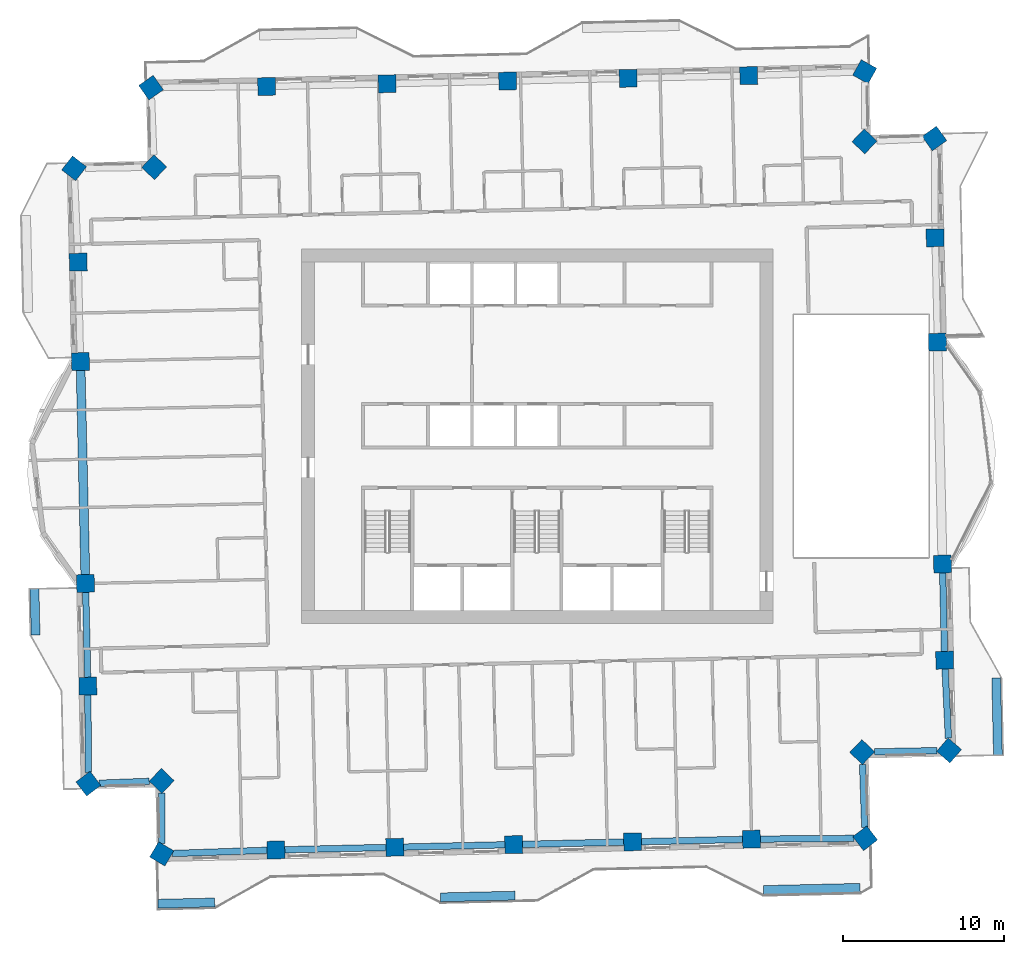
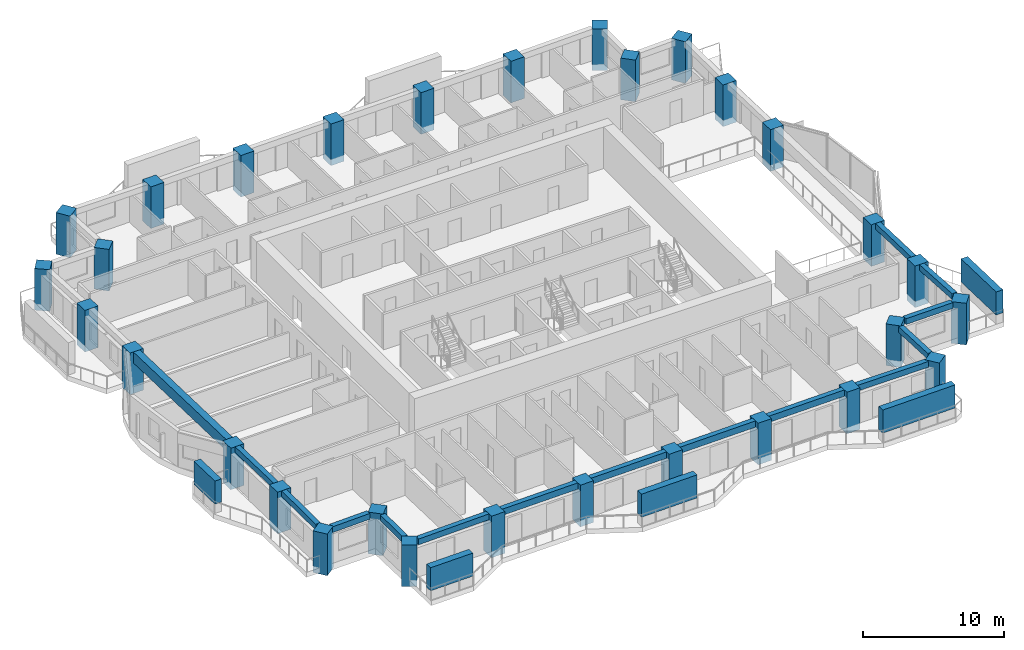
# One storey, part 1 of 17: 30 columns, 15 beams, 5 members.
"""IFC4 building model written with IfcOpenShell, lengths in metres."""

from ifc_helpers import new_model, si_unit, direction, frame, origin, origin_2d, place, context, subcontext, project, spatial, rectangle, extrude, material, material_profile, profile_set, type_object, element, save


model = new_model("IFC4")

# Units and contexts
model_context = context("Model", 3, precision=1e-05, world=origin(), true_north=direction((0.0, 1.0)))
body_context = subcontext(model_context, "Body", "Model", "MODEL_VIEW")
ifc_project = project(units=[si_unit("LENGTHUNIT", "METRE"), si_unit("AREAUNIT", "SQUARE_METRE"), si_unit("VOLUMEUNIT", "CUBIC_METRE"), si_unit("PLANEANGLEUNIT", "RADIAN"), si_unit("MASSUNIT", "GRAM", prefix="KILO")], contexts=[model_context])

# Site, building, storey
site_placement = place(None, origin())
site = spatial("IfcSite", under=ifc_project, at=site_placement, CompositionType="ELEMENT")
building_placement = place(site_placement, origin())
building = spatial("IfcBuilding", under=site, at=building_placement, Name="Mangrove Gate Tower", CompositionType="ELEMENT")
storey_placement = place(building_placement, frame((0.0, 0.0, 238.300048828125)))
storey = spatial("IfcBuildingStorey", under=building, at=storey_placement, Name="L60", CompositionType="ELEMENT", Elevation=238.300048828125)

# Columns
ifc_material_1 = material(Name="Concrete C60/75", Category="concrete")
ifc_material_profile_1 = material_profile(ifc_material_1, rectangle(XDim=1.10009765625, YDim=1.10009765625, at=origin_2d()))
ifc_profile_set_1 = profile_set([ifc_material_profile_1], Name="Concrete C60/75")
column_type = type_object("IfcColumnType", Name="Column RC 1100x1100 C60/75", PredefinedType="COLUMN", material=ifc_profile_set_1)
for number, where, z_axis, x_axis, name in (
    (1, (-27.9912109375, -9.12548828125, -0.550048828125), (0.0, 0.0, 1.0), (0.022671716894, -0.999742963593, 0.0), "Column L60 W05"),
    (2, (-27.84716796875, -15.486572265625, -0.550048828125), (0.0, 0.0, 1.0), (0.02271069751, -0.999742078848, 0.0), "Column L60 W06"),
    (3, (-27.813720703125, -21.52783203125, -0.550048828125), (0.0, 0.0, 1.0), (0.604088172923, -0.796917485901, 0.0), "Column L60 W07"),
    (4, (-23.27392578125, -21.3583984375, -0.550048828125), (0.0, 0.0, 1.0), (0.722988982899, -0.690859559249, 0.0), "Column L60 W08"),
    (5, (-23.2685546875, -25.880859375, -0.550048828125), (0.0, 0.0, 1.0), (0.860102602096, -0.510121077655, 0.0), "Column L60 S01"),
    (6, (-16.195556640625, -25.63720703125, -0.550048828125), (0.0, 0.0, 1.0), (0.999743095343, 0.022665906441, 0.0), "Column L60 S02"),
    (7, (-8.829345703125, -25.47021484375, -0.550048828125), (0.0, 0.0, 1.0), (0.999743095343, 0.022665906441, 0.0), "Column L60 S03"),
    (8, (-1.46337890625, -25.30322265625, -0.550048828125), (0.0, 0.0, 1.0), (0.999743095343, 0.022665906441, 0.0), "Column L60 S04"),
    (9, (5.902587890625, -25.13623046875, -0.550048828125), (0.0, 0.0, 1.0), (0.999743095343, 0.022665906441, 0.0), "Column L60 S05"),
    (10, (13.2685546875, -24.96923828125, -0.550048828125), (0.0, 0.0, 1.0), (0.999741555365, 0.022733729908, 0.0), "Column L60 S06"),
    (11, (20.31201171875, -24.914794921875, -0.550048828125), (0.0, 0.0, 1.0), (0.792957554961, 0.609276879612, 0.0), "Column L60 S07"),
    (12, (20.12744140625, -19.572998046875, -0.550048828125), (0.0, 0.0, 1.0), (0.690952060098, 0.72290058144, 0.0), "Column L60 E01"),
    (13, (25.508056640625, -19.47021484375, -0.550048828125), (0.0, 0.0, 1.0), (0.654234577243, 0.756291688398, 0.0), "Column L60 E02"),
    (14, (25.238037109375, -13.881591796875, -0.550048828125), (0.0, 0.0, 1.0), (-0.022727116819, 0.999741705723, 0.0), "Column L60 E03"),
    (15, (25.10302734375, -7.92138671875, -0.550048828125), (0.0, 0.0, 1.0), (-0.022676462969, 0.999742855952, 0.0), "Column L60 E04"),
    (16, (24.791259765625, 5.825439453125, -0.550048828125), (0.0, 0.0, 1.0), (-0.022707923152, 0.999742141868, 0.0), "Column L60 E05"),
    (17, (24.64404296875, 12.28662109375, -0.550048828125), (0.0, 0.0, 1.0), (-0.022668680801, 0.999743032439, 0.0), "Column L60 E06"),
    (18, (24.6005859375, 18.440185546875, -0.550048828125), (0.0, 0.0, 1.0), (-0.581359179883, 0.813647038934, 0.0), "Column L60 E07"),
    (19, (20.26904296875, 18.262451171875, -0.550048828125), (0.0, 0.0, 1.0), (-0.722994264183, 0.690854032309, 0.0), "Column L60 E08"),
    (20, (20.28076171875, 22.578857421875, -0.550048828125), (0.0, 0.0, 1.0), (-0.872897238591, 0.487904100064, 0.0), "Column L60 N01"),
    (21, (13.095458984375, 22.339111328125, -0.550048828125), (0.0, 0.0, 1.0), (-0.999742388325, -0.022697070002, 0.0), "Column L60 N02"),
    (22, (5.62939453125, 22.170166015625, -0.550048828125), (0.0, 0.0, 1.0), (-0.999743905277, -0.022630153817, 0.0), "Column L60 N03"),
    (23, (-1.83642578125, 22.001220703125, -0.550048828125), (0.0, 0.0, 1.0), (-0.999742388325, -0.022697070002, 0.0), "Column L60 N04"),
    (24, (-9.302490234375, 21.8310546875, -0.550048828125), (0.0, 0.0, 1.0), (-0.999742388325, -0.022697070002, 0.0), "Column L60 N05"),
    (25, (-16.7685546875, 21.662109375, -0.550048828125), (0.0, 0.0, 1.0), (-0.999742388325, -0.022697070002, 0.0), "Column L60 N06"),
    (26, (-23.9306640625, 21.592041015625, -0.550048828125), (0.0, 0.0, 1.0), (-0.818137935301, -0.575022015946, 0.0), "Column L60 N07"),
    (27, (-23.736328125, 16.6640625, -0.550048828125), (0.0, 0.0, 1.0), (-0.690946470748, -0.722905923728, 0.0), "Column L60 W01"),
    (28, (-28.6982421875, 16.59326171875, -0.550048828125), (0.0, 0.0, 1.0), (-0.612246894698, -0.790666642734, 0.0), "Column L60 W02"),
    (29, (-28.443115234375, 10.781494140625, -0.550048828125), (0.0, 0.0, 1.0), (0.022719561495, -0.999741877449, 0.0), "Column L60 W03"),
    (30, (-28.30322265625, 4.62158203125, -0.550048828125), (0.0, 0.0, 1.0), (0.022699722219, -0.999742328108, 0.0), "Column L60 W04"),
):
    element("IfcColumn", number, at=place(storey_placement, frame(where, z_axis=z_axis, x_axis=x_axis)), inside=storey, type_object=column_type, Name=name, PredefinedType="COLUMN", context=body_context, shape_type="SweptSolid", body=[
        extrude(rectangle(XDim=1.10009765625, YDim=1.10009765625, at=origin_2d()), origin(), (0.0, 0.0, 1.0), 3.60009765625),
    ])

# Members
ifc_material_2 = material(Name="Planting on aluminium trellis", Category="aluminium")
ifc_material_profile_2 = material_profile(ifc_material_2, rectangle(XDim=0.550048828125, YDim=2.0, at=origin_2d()))
ifc_profile_set_2 = profile_set([ifc_material_profile_2], Name="Planting on aluminium trellis")
member_type = type_object("IfcMemberType", Name="Balcony greenery screen 550x2000", PredefinedType="USERDEFINED", material=ifc_profile_set_2)
member_1_placement = place(storey_placement, frame((28.5380859375, -19.77099609375, 1.800048828125), z_axis=(-0.022734113616, 0.99974154664, 0.0), x_axis=(-0.99974154664, -0.022734113616, 0.0)))
element("IfcMember", 31, at=member_1_placement, inside=storey, type_object=member_type, Name="GREEN SCREEN L60 E0.1", ObjectType="PLANTING", PredefinedType="USERDEFINED", context=body_context, shape_type="SweptSolid", body=[
    extrude(rectangle(XDim=0.550048828125, YDim=2.0, at=origin_2d()), origin(), (0.0, 0.0, 1.0), 4.80029296875),
])
member_2_placement = place(storey_placement, frame((-31.083984375, -12.322021484375, 1.800048828125), z_axis=(-0.022929749512, 0.99973707873, 0.0), x_axis=(-0.99973707873, -0.022929749512, 0.0)))
element("IfcMember", 32, at=member_2_placement, inside=storey, type_object=member_type, Name="GREEN SCREEN L60 W1.1", ObjectType="PLANTING", PredefinedType="USERDEFINED", context=body_context, shape_type="SweptSolid", body=[
    extrude(rectangle(XDim=0.550048828125, YDim=2.0, at=origin_2d()), origin(), (0.0, 0.0, 1.0), 2.874755859375),
])
member_3_placement = place(storey_placement, frame((-23.489990234375, -28.968994140625, 1.800048828125), z_axis=(0.999738950566, 0.022847991624, 0.0), x_axis=(-0.022847991624, 0.999738950566, 0.0)))
element("IfcMember", 33, at=member_3_placement, inside=storey, type_object=member_type, Name="GREEN SCREEN L60 S0.1", ObjectType="PLANTING", PredefinedType="USERDEFINED", context=body_context, shape_type="SweptSolid", body=[
    extrude(rectangle(XDim=0.550048828125, YDim=2.0, at=origin_2d()), origin(), (0.0, 0.0, 1.0), 3.5048828125),
])
member_4_placement = place(storey_placement, frame((-5.989990234375, -28.572021484375, 1.800048828125), z_axis=(0.999739556364, 0.022821468877, 0.0), x_axis=(-0.022821468877, 0.999739556364, 0.0)))
element("IfcMember", 34, at=member_4_placement, inside=storey, type_object=member_type, Name="GREEN SCREEN L60 S0.2", ObjectType="PLANTING", PredefinedType="USERDEFINED", context=body_context, shape_type="SweptSolid", body=[
    extrude(rectangle(XDim=0.550048828125, YDim=2.0, at=origin_2d()), origin(), (0.0, 0.0, 1.0), 4.60009765625),
])
member_5_placement = place(storey_placement, frame((14.0048828125, -28.117919921875, 1.800048828125), z_axis=(0.999743094499, 0.022665943652, 0.0), x_axis=(-0.022665943652, 0.999743094499, 0.0)))
element("IfcMember", 35, at=member_5_placement, inside=storey, type_object=member_type, Name="GREEN SCREEN L60 S1.1", ObjectType="PLANTING", PredefinedType="USERDEFINED", context=body_context, shape_type="SweptSolid", body=[
    extrude(rectangle(XDim=0.550048828125, YDim=2.0, at=origin_2d()), origin(), (0.0, 0.0, 1.0), 5.99951171875),
])

# Beams
ifc_material_3 = material(Name="Concrete C50/60", Category="concrete")
ifc_material_profile_3 = material_profile(ifc_material_3, rectangle(XDim=0.39990234375, YDim=0.5, at=origin_2d()))
ifc_profile_set_3 = profile_set([ifc_material_profile_3], Name="Concrete C50/60")
beam_type_1 = type_object("IfcBeamType", Name="Edge beam RC 400x500 C50/60", PredefinedType="BEAM", material=ifc_profile_set_3)
beam_1_placement = place(storey_placement, frame((-27.978759765625, -9.67529296875, 2.800048828125), z_axis=(0.022638157735, -0.999743724069, 0.0), x_axis=(0.999743724069, 0.022638157735, 0.0)))
element("IfcBeam", 36, at=beam_1_placement, inside=storey, type_object=beam_type_1, Name="Edge beam L60 00", PredefinedType="BEAM", context=body_context, shape_type="SweptSolid", body=[
    extrude(rectangle(XDim=0.39990234375, YDim=0.5, at=origin_2d()), origin(), (0.0, 0.0, 1.0), 5.262939453125),
])
beam_2_placement = place(storey_placement, frame((-27.843994140625, -16.03662109375, 2.800048828125), z_axis=(0.005539377327, -0.999984657532, 0.0), x_axis=(0.999984657532, 0.005539377327, 0.0)))
element("IfcBeam", 37, at=beam_2_placement, inside=storey, type_object=beam_type_1, Name="Edge beam L60 01", PredefinedType="BEAM", context=body_context, shape_type="SweptSolid", body=[
    extrude(rectangle(XDim=0.39990234375, YDim=0.5, at=origin_2d()), origin(), (0.0, 0.0, 1.0), 4.803955078125),
])
beam_3_placement = place(storey_placement, frame((-27.142578125, -21.502685546875, 2.800048828125), z_axis=(0.999304995384, 0.037276349084, 0.0), x_axis=(-0.037276349084, 0.999304995384, 0.0)))
element("IfcBeam", 38, at=beam_3_placement, inside=storey, type_object=beam_type_1, Name="Edge beam L60 02", PredefinedType="BEAM", context=body_context, shape_type="SweptSolid", body=[
    extrude(rectangle(XDim=0.39990234375, YDim=0.5, at=origin_2d()), origin(), (0.0, 0.0, 1.0), 3.1044921875),
])
beam_4_placement = place(storey_placement, frame((-23.273193359375, -22.119873046875, 2.800048828125), z_axis=(0.001251563475, -0.999999216794, 0.0), x_axis=(0.999999216794, 0.001251563475, 0.0)))
element("IfcBeam", 39, at=beam_4_placement, inside=storey, type_object=beam_type_1, Name="Edge beam L60 03", PredefinedType="BEAM", context=body_context, shape_type="SweptSolid", body=[
    extrude(rectangle(XDim=0.39990234375, YDim=0.5, at=origin_2d()), origin(), (0.0, 0.0, 1.0), 3.12109375),
])
beam_5_placement = place(storey_placement, frame((-22.61572265625, -25.8583984375, 2.800048828125), z_axis=(0.999406246135, 0.034455118442, 0.0), x_axis=(-0.034455118442, 0.999406246135, 0.0)))
element("IfcBeam", 40, at=beam_5_placement, inside=storey, type_object=beam_type_1, Name="Edge beam L60 04", PredefinedType="BEAM", context=body_context, shape_type="SweptSolid", body=[
    extrude(rectangle(XDim=0.39990234375, YDim=0.5, at=origin_2d()), origin(), (0.0, 0.0, 1.0), 5.8740234375),
])
beam_6_placement = place(storey_placement, frame((13.818603515625, -24.96484375, 2.800048828125), z_axis=(0.999970370697, 0.007697904166, 0.0), x_axis=(-0.007697904166, 0.999970370697, 0.0)))
element("IfcBeam", 41, at=beam_6_placement, inside=storey, type_object=beam_type_1, Name="Edge beam L60 09", PredefinedType="BEAM", context=body_context, shape_type="SweptSolid", body=[
    extrude(rectangle(XDim=0.39990234375, YDim=0.5, at=origin_2d()), origin(), (0.0, 0.0, 1.0), 5.803955078125),
])
beam_7_placement = place(storey_placement, frame((20.28857421875, -24.2392578125, 2.800048828125), z_axis=(-0.034490302701, 0.999405032517, 0.0), x_axis=(-0.999405032517, -0.034490302701, 0.0)))
element("IfcBeam", 42, at=beam_7_placement, inside=storey, type_object=beam_type_1, Name="Edge beam L60 10", PredefinedType="BEAM", context=body_context, shape_type="SweptSolid", body=[
    extrude(rectangle(XDim=0.39990234375, YDim=0.5, at=origin_2d()), origin(), (0.0, 0.0, 1.0), 3.900390625),
])
beam_8_placement = place(storey_placement, frame((20.90234375, -19.55810546875, 2.800048828125), z_axis=(0.999818208127, 0.019067005485, 0.0), x_axis=(-0.019067005485, 0.999818208127, 0.0)))
element("IfcBeam", 43, at=beam_8_placement, inside=storey, type_object=beam_type_1, Name="Edge beam L60 11", PredefinedType="BEAM", context=body_context, shape_type="SweptSolid", body=[
    extrude(rectangle(XDim=0.39990234375, YDim=0.5, at=origin_2d()), origin(), (0.0, 0.0, 1.0), 3.866943359375),
])
beam_9_placement = place(storey_placement, frame((25.471435546875, -18.711181640625, 2.800048828125), z_axis=(-0.048258123247, 0.998834898039, 0.0), x_axis=(-0.998834898039, -0.048258123247, 0.0)))
element("IfcBeam", 44, at=beam_9_placement, inside=storey, type_object=beam_type_1, Name="Edge beam L60 12", PredefinedType="BEAM", context=body_context, shape_type="SweptSolid", body=[
    extrude(rectangle(XDim=0.39990234375, YDim=0.5, at=origin_2d()), origin(), (0.0, 0.0, 1.0), 4.284912109375),
])
beam_10_placement = place(storey_placement, frame((25.2255859375, -13.33154296875, 2.800048828125), z_axis=(-0.022649535507, 0.999743466366, 0.0), x_axis=(-0.999743466366, -0.022649535507, 0.0)))
element("IfcBeam", 45, at=beam_10_placement, inside=storey, type_object=beam_type_1, Name="Edge beam L60 13", PredefinedType="BEAM", context=body_context, shape_type="SweptSolid", body=[
    extrude(rectangle(XDim=0.39990234375, YDim=0.5, at=origin_2d()), origin(), (0.0, 0.0, 1.0), 4.861328125),
])
ifc_material_4 = material(Name="Concrete C50/60", Category="concrete")
ifc_material_profile_4 = material_profile(ifc_material_4, rectangle(XDim=0.39990234375, YDim=0.550048828125, at=origin_2d()))
ifc_profile_set_4 = profile_set([ifc_material_profile_4], Name="Concrete C50/60")
beam_type_2 = type_object("IfcBeamType", Name="Edge beam RC 400x550 C50/60", PredefinedType="BEAM", material=ifc_profile_set_4)
for number, where, z_axis, x_axis, name in (
    (46, (-15.6455078125, -25.624755859375, 2.77490234375), (0.999743000577, 0.022670085963, 0.0), (-0.022670085963, 0.999743000577, 0.0), "Edge beam L60 05"),
    (47, (-8.279541015625, -25.457763671875, 2.77490234375), (0.999743000577, 0.022670085963, 0.0), (-0.022670085963, 0.999743000577, 0.0), "Edge beam L60 06"),
):
    element("IfcBeam", number, at=place(storey_placement, frame(where, z_axis=z_axis, x_axis=x_axis)), inside=storey, type_object=beam_type_2, Name=name, PredefinedType="BEAM", context=body_context, shape_type="SweptSolid", body=[
        extrude(rectangle(XDim=0.39990234375, YDim=0.550048828125, at=origin_2d()), origin(), (0.0, 0.0, 1.0), 6.267822265625),
    ])
for number, where, z_axis, x_axis, name in (
    (48, (-0.91357421875, -25.290771484375, 2.77490234375), (0.999743020594, 0.022669203179, 0.0), (-0.022669203179, 0.999743020594, 0.0), "Edge beam L60 07"),
    (49, (6.452392578125, -25.123779296875, 2.77490234375), (0.999743020594, 0.022669203179, 0.0), (-0.022669203179, 0.999743020594, 0.0), "Edge beam L60 08"),
):
    element("IfcBeam", number, at=place(storey_placement, frame(where, z_axis=z_axis, x_axis=x_axis)), inside=storey, type_object=beam_type_2, Name=name, PredefinedType="BEAM", context=body_context, shape_type="SweptSolid", body=[
        extrude(rectangle(XDim=0.39990234375, YDim=0.550048828125, at=origin_2d()), origin(), (0.0, 0.0, 1.0), 6.26806640625),
    ])
ifc_material_5 = material(Name="Concrete C50/60", Category="concrete")
ifc_material_profile_5 = material_profile(ifc_material_5, rectangle(XDim=0.550048828125, YDim=0.949951171875, at=origin_2d()))
ifc_profile_set_5 = profile_set([ifc_material_profile_5], Name="Concrete C50/60")
beam_type_3 = type_object("IfcBeamType", Name="Edge beam RC 550x950 C50/60", PredefinedType="BEAM", material=ifc_profile_set_5)
beam_11_placement = place(storey_placement, frame((-28.290771484375, 4.071533203125, 2.574951171875), z_axis=(0.022695540596, -0.999742423046, 0.0), x_axis=(0.999742423046, 0.022695540596, 0.0)))
element("IfcBeam", 50, at=beam_11_placement, inside=storey, type_object=beam_type_3, Name="Edge beam L60 29", PredefinedType="BEAM", context=body_context, shape_type="SweptSolid", body=[
    extrude(rectangle(XDim=0.550048828125, YDim=0.949951171875, at=origin_2d()), origin(), (0.0, 0.0, 1.0), 12.650390625),
])

save(model, "model.ifc")
